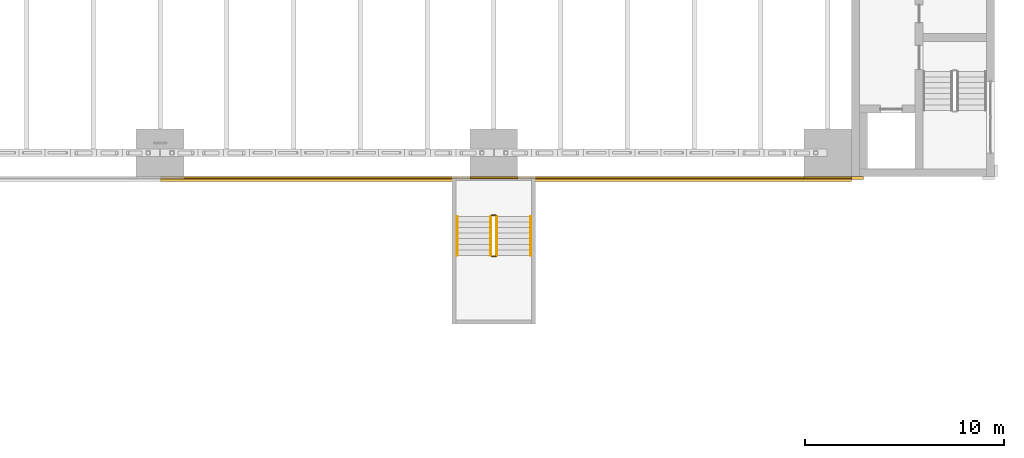
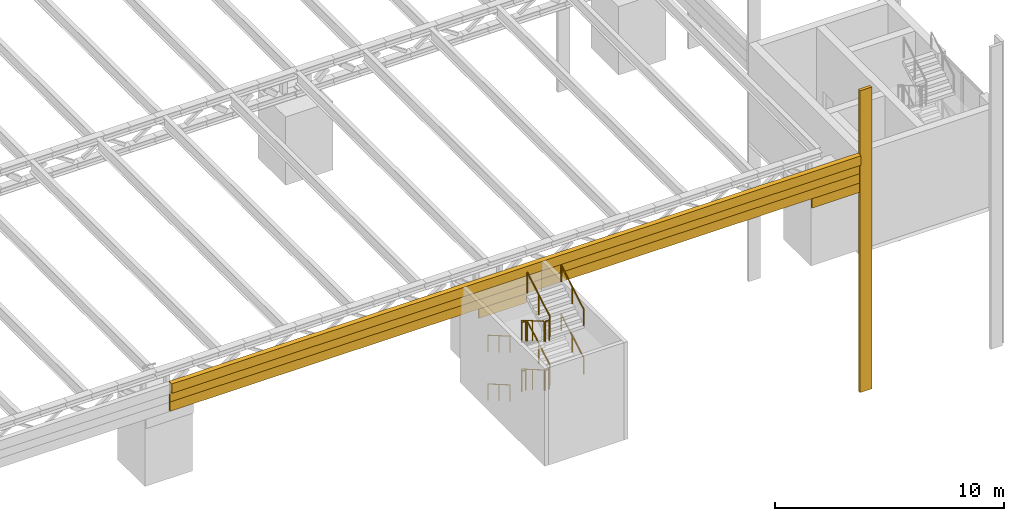
# One storey, part 89 of 93: 12 railings, 6 coverings.
"""IFC4 building model written with IfcOpenShell, lengths in metres."""

from ifc_helpers import new_model, si_unit, direction, frame, origin, origin_2d, place, context, subcontext, project, spatial, rectangle, circle, extrude, material, layer, layer_set, type_object, element, save


model = new_model("IFC4")

# Units and contexts
model_context = context("Model", 3, precision=1e-05, world=origin(), true_north=direction((0.0, 1.0)))
body_context = subcontext(model_context, "Body", "Model", "MODEL_VIEW")
ifc_project = project(units=[si_unit("LENGTHUNIT", "METRE"), si_unit("AREAUNIT", "SQUARE_METRE"), si_unit("VOLUMEUNIT", "CUBIC_METRE"), si_unit("PLANEANGLEUNIT", "RADIAN"), si_unit("MASSUNIT", "GRAM", prefix="KILO")], contexts=[model_context])

# Site, building, storey
site_placement = place(None, origin())
site = spatial("IfcSite", under=ifc_project, at=site_placement, CompositionType="ELEMENT")
building_placement = place(site_placement, origin())
building = spatial("IfcBuilding", under=site, at=building_placement, Name="Verrick Yard Athletic Hall", CompositionType="ELEMENT")
storey_placement = place(building_placement, frame((0.0, 0.0, 8.800048828125)))
storey = spatial("IfcBuildingStorey", under=building, at=storey_placement, Name="L02", CompositionType="ELEMENT", Elevation=8.800048828125)

# Coverings
ifc_material_1 = material(Name="Limestone cladding", Category="masonry")
ifc_layer_1 = layer(ifc_material_1, 0.25)
ifc_layer_set_1 = layer_set([ifc_layer_1], Name="Cornice")
covering_type_1 = type_object("IfcCoveringType", Name="Cornice", PredefinedType="MOLDING", material=ifc_layer_set_1)
covering_1_placement = place(storey_placement, frame((141.41259765625, 17.875, 4.699951171875), z_axis=(0.0, 0.0, 1.0), x_axis=(1.0, 0.0, 0.0)))
element("IfcCovering", 1, at=covering_1_placement, inside=storey, type_object=covering_type_1, Name="Cornice S3", PredefinedType="MOLDING", context=body_context, shape_type="SweptSolid", body=[
    extrude(rectangle(XDim=34.77490234375, YDim=0.25, at=origin_2d()), origin(), (0.0, 0.0, 1.0), 0.5),
])
ifc_layer_2 = layer(ifc_material_1, 0.10009765625)
ifc_layer_set_2 = layer_set([ifc_layer_2], Name="Entablature band")
covering_type_2 = type_object("IfcCoveringType", Name="Entablature band", PredefinedType="CLADDING", material=ifc_layer_set_2)
covering_2_placement = place(storey_placement, frame((141.41259765625, 17.949951171875, 3.64990234375), z_axis=(0.0, 0.0, 1.0), x_axis=(1.0, 0.0, 0.0)))
element("IfcCovering", 2, at=covering_2_placement, inside=storey, type_object=covering_type_2, Name="Architrave S3", PredefinedType="CLADDING", context=body_context, shape_type="SweptSolid", body=[
    extrude(rectangle(XDim=34.77490234375, YDim=0.10009765625, at=origin_2d()), origin(), (0.0, 0.0, 1.0), 0.5),
])
covering_3_placement = place(storey_placement, frame((141.41259765625, 17.949951171875, 4.14990234375), z_axis=(0.0, 0.0, 1.0), x_axis=(1.0, 0.0, 0.0)))
element("IfcCovering", 3, at=covering_3_placement, inside=storey, type_object=covering_type_2, Name="Frieze S3", PredefinedType="CLADDING", context=body_context, shape_type="SweptSolid", body=[
    extrude(rectangle(XDim=34.77490234375, YDim=0.10009765625, at=origin_2d()), origin(), (0.0, 0.0, 1.0), 0.550048828125),
])
ifc_layer_3 = layer(ifc_material_1, 0.10009765625)
ifc_layer_set_3 = layer_set([ifc_layer_3], Name="Impost and capital moulding")
covering_type_3 = type_object("IfcCoveringType", Name="Impost and capital moulding", PredefinedType="MOLDING", material=ifc_layer_set_3)
for number, where, z_axis, x_axis, name in (
    (4, (140.800048828125, 17.949951171875, 3.14990234375), (0.0, 0.0, 1.0), (1.0, 0.0, 0.0), "Capital S7"),
    (5, (157.60009765625, 17.949951171875, 3.14990234375), (0.0, 0.0, 1.0), (1.0, 0.0, 0.0), "Capital S8"),
):
    element("IfcCovering", number, at=place(storey_placement, frame(where, z_axis=z_axis, x_axis=x_axis)), inside=storey, type_object=covering_type_3, Name=name, PredefinedType="MOLDING", context=body_context, shape_type="SweptSolid", body=[
        extrude(rectangle(XDim=2.39990234375, YDim=0.10009765625, at=origin_2d()), origin(), (0.0, 0.0, 1.0), 0.5),
    ])

# Railings
ifc_material_2 = material(Name="Stainless steel", Category="steel")
railing_type_1 = type_object("IfcRailingType", Name="Stair and core guard 1100", PredefinedType="GUARDRAIL", material=ifc_material_2)
railing_1_placement = place(storey_placement, frame((140.64990234375, 16.0, 0.162353515625)))
element("IfcRailing", 6, at=railing_1_placement, inside=storey, type_object=railing_type_1, Name="L02 South deck escape 2 stair guard 1", PredefinedType="GUARDRAIL", context=body_context, shape_type="SweptSolid", body=[
    extrude(circle(Radius=0.02392578125, at=origin_2d()), frame((0.0, 0.0, 1.076171875), z_axis=(0.0, -0.864855337533, 0.502021160053), x_axis=(1.0, 0.0, 0.0)), (0.0, 0.0, 1.0), 2.26611328125),
    extrude(circle(Radius=0.02099609375, at=origin_2d()), origin(), (0.0, 0.0, 1.0), 1.052001953125),
    extrude(circle(Radius=0.02099609375, at=origin_2d()), frame((0.0, -0.97998046875, 0.56884765625)), (0.0, 0.0, 1.0), 1.052001953125),
    extrude(circle(Radius=0.02099609375, at=origin_2d()), frame((0.0, -1.9599609375, 1.1376953125)), (0.0, 0.0, 1.0), 1.052001953125),
])
railing_2_placement = place(storey_placement, frame((140.699951171875, 13.989990234375, 1.300048828125)))
element("IfcRailing", 7, at=railing_2_placement, inside=storey, type_object=railing_type_1, Name="L02 South deck escape 2 stair guard 2", PredefinedType="GUARDRAIL", context=body_context, shape_type="SweptSolid", body=[
    extrude(circle(Radius=0.02392578125, at=origin_2d()), frame((0.0, 0.0, 1.076171875), z_axis=(1.0, 0.0, 0.0), x_axis=(0.0, 1.0, 0.0)), (0.0, 0.0, 1.0), 0.199951171875),
    extrude(circle(Radius=0.02099609375, at=origin_2d()), origin(), (0.0, 0.0, 1.0), 1.052001953125),
    extrude(circle(Radius=0.02099609375, at=origin_2d()), frame((0.199951171875, 0.0, 0.0)), (0.0, 0.0, 1.0), 1.052001953125),
])
railing_3_placement = place(storey_placement, frame((140.949951171875, 14.0400390625, 1.46240234375)))
element("IfcRailing", 8, at=railing_3_placement, inside=storey, type_object=railing_type_1, Name="L02 South deck escape 2 stair guard 3", PredefinedType="GUARDRAIL", context=body_context, shape_type="SweptSolid", body=[
    extrude(circle(Radius=0.02392578125, at=origin_2d()), frame((0.0, 0.0, 1.076171875), z_axis=(0.0, 0.864902109995, 0.501940574298), x_axis=(-1.0, 0.0, 0.0)), (0.0, 0.0, 1.0), 2.26611328125),
    extrude(circle(Radius=0.02099609375, at=origin_2d()), origin(), (0.0, 0.0, 1.0), 1.052001953125),
    extrude(circle(Radius=0.02099609375, at=origin_2d()), frame((0.0, 0.97998046875, 0.56884765625)), (0.0, 0.0, 1.0), 1.052001953125),
    extrude(circle(Radius=0.02099609375, at=origin_2d()), frame((0.0, 1.9599609375, 1.137451171875)), (0.0, 0.0, 1.0), 1.052001953125),
])
railing_4_placement = place(storey_placement, frame((140.699951171875, 16.050048828125, 2.599853515625)))
element("IfcRailing", 9, at=railing_4_placement, inside=storey, type_object=railing_type_1, Name="L02 South deck escape 2 stair guard 4", PredefinedType="GUARDRAIL", context=body_context, shape_type="SweptSolid", body=[
    extrude(circle(Radius=0.02392578125, at=origin_2d()), frame((0.0, 0.0, 1.076171875), z_axis=(1.0, 0.0, 0.0), x_axis=(0.0, 1.0, 0.0)), (0.0, 0.0, 1.0), 0.199951171875),
    extrude(circle(Radius=0.02099609375, at=origin_2d()), origin(), (0.0, 0.0, 1.0), 1.052001953125),
    extrude(circle(Radius=0.02099609375, at=origin_2d()), frame((0.199951171875, 0.0, 0.0)), (0.0, 0.0, 1.0), 1.052001953125),
])
railing_5_placement = place(storey_placement, frame((140.64990234375, 16.0, 2.762451171875)))
element("IfcRailing", 10, at=railing_5_placement, inside=storey, type_object=railing_type_1, Name="L02 South deck escape 2 stair guard 5", PredefinedType="GUARDRAIL", context=body_context, shape_type="SweptSolid", body=[
    extrude(circle(Radius=0.02392578125, at=origin_2d()), frame((0.0, 0.0, 1.076171875), z_axis=(0.0, -0.864902109995, 0.501940574298), x_axis=(1.0, 0.0, 0.0)), (0.0, 0.0, 1.0), 2.26611328125),
    extrude(circle(Radius=0.02099609375, at=origin_2d()), origin(), (0.0, 0.0, 1.0), 1.052001953125),
    extrude(circle(Radius=0.02099609375, at=origin_2d()), frame((0.0, -0.97998046875, 0.56884765625)), (0.0, 0.0, 1.0), 1.052001953125),
    extrude(circle(Radius=0.02099609375, at=origin_2d()), frame((0.0, -1.9599609375, 1.137451171875)), (0.0, 0.0, 1.0), 1.052001953125),
])
railing_6_placement = place(storey_placement, frame((140.699951171875, 13.989990234375, 3.89990234375)))
element("IfcRailing", 11, at=railing_6_placement, inside=storey, type_object=railing_type_1, Name="L02 South deck escape 2 stair guard 6", PredefinedType="GUARDRAIL", context=body_context, shape_type="SweptSolid", body=[
    extrude(circle(Radius=0.02392578125, at=origin_2d()), frame((0.0, 0.0, 1.076171875), z_axis=(1.0, 0.0, 0.0), x_axis=(0.0, 1.0, 0.0)), (0.0, 0.0, 1.0), 0.199951171875),
    extrude(circle(Radius=0.02099609375, at=origin_2d()), origin(), (0.0, 0.0, 1.0), 1.052001953125),
    extrude(circle(Radius=0.02099609375, at=origin_2d()), frame((0.199951171875, 0.0, 0.0)), (0.0, 0.0, 1.0), 1.052001953125),
])
railing_7_placement = place(storey_placement, frame((140.949951171875, 14.0400390625, 4.0625)))
element("IfcRailing", 12, at=railing_7_placement, inside=storey, type_object=railing_type_1, Name="L02 South deck escape 2 stair guard 7", PredefinedType="GUARDRAIL", context=body_context, shape_type="SweptSolid", body=[
    extrude(circle(Radius=0.02392578125, at=origin_2d()), frame((0.0, 0.0, 1.076171875), z_axis=(0.0, 0.864902109995, 0.501940574298), x_axis=(-1.0, 0.0, 0.0)), (0.0, 0.0, 1.0), 2.26611328125),
    extrude(circle(Radius=0.02099609375, at=origin_2d()), origin(), (0.0, 0.0, 1.0), 1.052001953125),
    extrude(circle(Radius=0.02099609375, at=origin_2d()), frame((0.0, 0.97998046875, 0.56884765625)), (0.0, 0.0, 1.0), 1.052001953125),
    extrude(circle(Radius=0.02099609375, at=origin_2d()), frame((0.0, 1.9599609375, 1.137451171875)), (0.0, 0.0, 1.0), 1.052001953125),
])
railing_8_placement = place(storey_placement, frame((140.699951171875, 16.050048828125, 0.0)))
element("IfcRailing", 13, at=railing_8_placement, inside=storey, type_object=railing_type_1, Name="L02 South deck escape 2 stair guard 8", PredefinedType="GUARDRAIL", context=body_context, shape_type="SweptSolid", body=[
    extrude(circle(Radius=0.02392578125, at=origin_2d()), frame((0.0, 0.0, 1.076171875), z_axis=(1.0, 0.0, 0.0), x_axis=(0.0, 1.0, 0.0)), (0.0, 0.0, 1.0), 0.199951171875),
    extrude(circle(Radius=0.02099609375, at=origin_2d()), origin(), (0.0, 0.0, 1.0), 1.052001953125),
    extrude(circle(Radius=0.02099609375, at=origin_2d()), frame((0.199951171875, 0.0, 0.0)), (0.0, 0.0, 1.0), 1.052001953125),
])
railing_type_2 = type_object("IfcRailingType", Name="Stair handrail 900", PredefinedType="HANDRAIL", material=ifc_material_2)
railing_9_placement = place(storey_placement, frame((138.949951171875, 16.0, 0.162353515625)))
element("IfcRailing", 14, at=railing_9_placement, inside=storey, type_object=railing_type_2, Name="L02 South deck escape 2 stair handrail 1", PredefinedType="HANDRAIL", context=body_context, shape_type="SweptSolid", body=[
    extrude(circle(Radius=0.02392578125, at=origin_2d()), frame((0.0, 0.0, 0.8759765625), z_axis=(0.0, -0.864855337533, 0.502021160053), x_axis=(1.0, 0.0, 0.0)), (0.0, 0.0, 1.0), 2.26611328125),
    extrude(circle(Radius=0.02099609375, at=origin_2d()), origin(), (0.0, 0.0, 1.0), 0.851806640625),
    extrude(circle(Radius=0.02099609375, at=origin_2d()), frame((0.0, -0.97998046875, 0.56884765625)), (0.0, 0.0, 1.0), 0.851806640625),
    extrude(circle(Radius=0.02099609375, at=origin_2d()), frame((0.0, -1.9599609375, 1.1376953125)), (0.0, 0.0, 1.0), 0.851806640625),
])
railing_10_placement = place(storey_placement, frame((142.64990234375, 14.0400390625, 1.46240234375)))
element("IfcRailing", 15, at=railing_10_placement, inside=storey, type_object=railing_type_2, Name="L02 South deck escape 2 stair handrail 2", PredefinedType="HANDRAIL", context=body_context, shape_type="SweptSolid", body=[
    extrude(circle(Radius=0.02392578125, at=origin_2d()), frame((0.0, 0.0, 0.8759765625), z_axis=(0.0, 0.864902109995, 0.501940574298), x_axis=(-1.0, 0.0, 0.0)), (0.0, 0.0, 1.0), 2.26611328125),
    extrude(circle(Radius=0.02099609375, at=origin_2d()), origin(), (0.0, 0.0, 1.0), 0.851806640625),
    extrude(circle(Radius=0.02099609375, at=origin_2d()), frame((0.0, 0.97998046875, 0.56884765625)), (0.0, 0.0, 1.0), 0.851806640625),
    extrude(circle(Radius=0.02099609375, at=origin_2d()), frame((0.0, 1.9599609375, 1.137451171875)), (0.0, 0.0, 1.0), 0.851806640625),
])
railing_11_placement = place(storey_placement, frame((138.949951171875, 16.0, 2.762451171875)))
element("IfcRailing", 16, at=railing_11_placement, inside=storey, type_object=railing_type_2, Name="L02 South deck escape 2 stair handrail 3", PredefinedType="HANDRAIL", context=body_context, shape_type="SweptSolid", body=[
    extrude(circle(Radius=0.02392578125, at=origin_2d()), frame((0.0, 0.0, 0.8759765625), z_axis=(0.0, -0.864902109995, 0.501940574298), x_axis=(1.0, 0.0, 0.0)), (0.0, 0.0, 1.0), 2.26611328125),
    extrude(circle(Radius=0.02099609375, at=origin_2d()), origin(), (0.0, 0.0, 1.0), 0.851806640625),
    extrude(circle(Radius=0.02099609375, at=origin_2d()), frame((0.0, -0.97998046875, 0.56884765625)), (0.0, 0.0, 1.0), 0.851806640625),
    extrude(circle(Radius=0.02099609375, at=origin_2d()), frame((0.0, -1.9599609375, 1.137451171875)), (0.0, 0.0, 1.0), 0.851806640625),
])
railing_12_placement = place(storey_placement, frame((142.64990234375, 14.0400390625, 4.0625)))
element("IfcRailing", 17, at=railing_12_placement, inside=storey, type_object=railing_type_2, Name="L02 South deck escape 2 stair handrail 4", PredefinedType="HANDRAIL", context=body_context, shape_type="SweptSolid", body=[
    extrude(circle(Radius=0.02392578125, at=origin_2d()), frame((0.0, 0.0, 0.8759765625), z_axis=(0.0, 0.864902109995, 0.501940574298), x_axis=(-1.0, 0.0, 0.0)), (0.0, 0.0, 1.0), 2.26611328125),
    extrude(circle(Radius=0.02099609375, at=origin_2d()), origin(), (0.0, 0.0, 1.0), 0.851806640625),
    extrude(circle(Radius=0.02099609375, at=origin_2d()), frame((0.0, 0.97998046875, 0.56884765625)), (0.0, 0.0, 1.0), 0.851806640625),
    extrude(circle(Radius=0.02099609375, at=origin_2d()), frame((0.0, 1.9599609375, 1.137451171875)), (0.0, 0.0, 1.0), 0.851806640625),
])

# Covering
ifc_material_3 = material(Name="Tyndall-stone-look precast cladding", Category="masonry")
ifc_layer_4 = layer(ifc_material_3, 0.125)
ifc_layer_set_4 = layer_set([ifc_layer_4], Name="Stone cladding")
covering_type_4 = type_object("IfcCoveringType", Name="Stone cladding", PredefinedType="CLADDING", material=ifc_layer_set_4)
covering_4_placement = place(storey_placement, frame((159.10009765625, 17.925048828125, -7.5), z_axis=(0.0, 0.0, 1.0), x_axis=(1.0, 0.0, 0.0)))
element("IfcCovering", 18, at=covering_4_placement, inside=storey, type_object=covering_type_4, Name="Block pilaster", PredefinedType="CLADDING", context=body_context, shape_type="SweptSolid", body=[
    extrude(rectangle(XDim=0.60009765625, YDim=0.14990234375, at=origin_2d()), origin(), (0.0, 0.0, 1.0), 16.10009765625),
])

save(model, "model.ifc")
